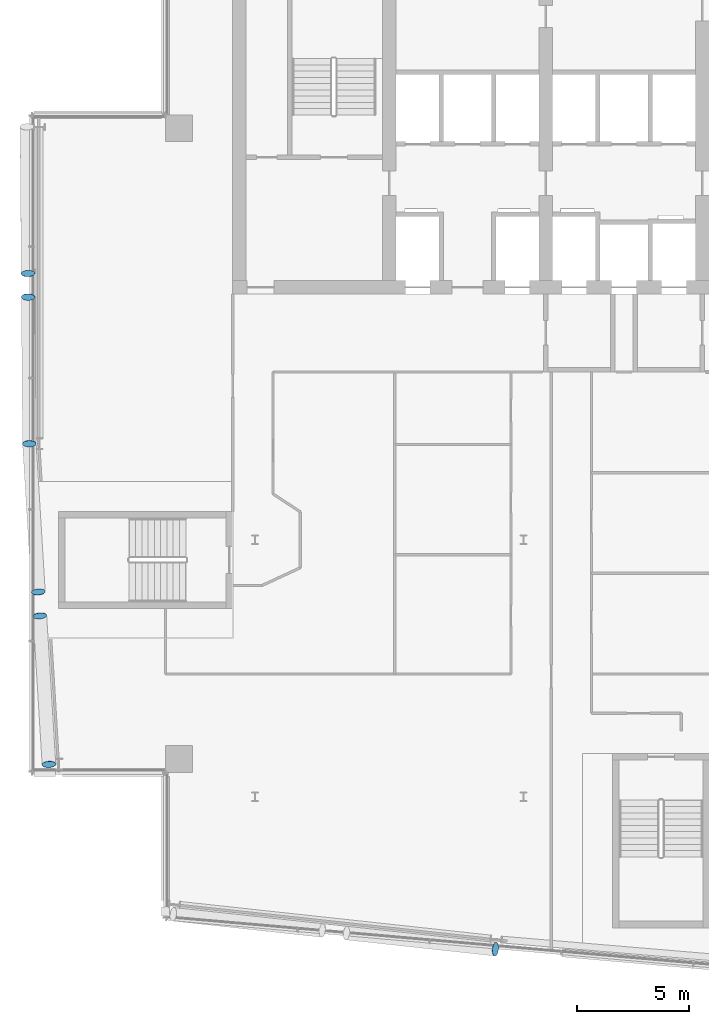
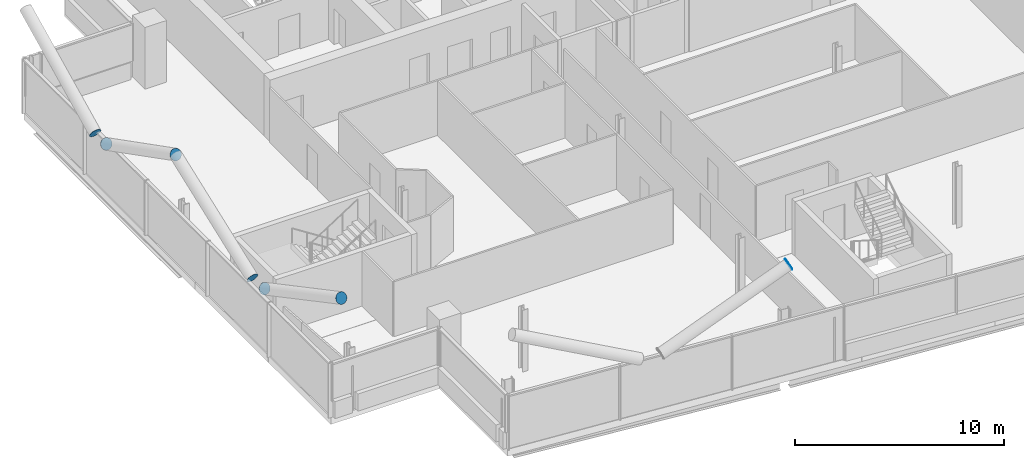
# One storey, part 21 of 27: 7 discrete accessories.
"""IFC4 building model written with IfcOpenShell, lengths in metres."""

from ifc_helpers import new_model, si_unit, direction, frame, origin, origin_2d, place, context, subcontext, project, spatial, circle, extrude, material, material_profile, profile_set, type_object, element, save


model = new_model("IFC4")

# Units and contexts
model_context = context("Model", 3, precision=1e-05, world=origin(), true_north=direction((0.0, 1.0)))
body_context = subcontext(model_context, "Body", "Model", "MODEL_VIEW")
ifc_project = project(units=[si_unit("LENGTHUNIT", "METRE"), si_unit("AREAUNIT", "SQUARE_METRE"), si_unit("VOLUMEUNIT", "CUBIC_METRE"), si_unit("PLANEANGLEUNIT", "RADIAN"), si_unit("MASSUNIT", "GRAM", prefix="KILO")], contexts=[model_context])

# Site, building, storey
site_placement = place(None, origin())
site = spatial("IfcSite", under=ifc_project, at=site_placement, CompositionType="ELEMENT")
building_placement = place(site_placement, origin())
building = spatial("IfcBuilding", under=site, at=building_placement, Name="Wharfspan Tower", CompositionType="ELEMENT")
storey_placement = place(building_placement, frame((0.0, 0.0, 221.5)))
storey = spatial("IfcBuildingStorey", under=building, at=storey_placement, Name="L55", CompositionType="ELEMENT", Elevation=221.5)

# Discrete accessories
ifc_material = material(Name="Steel S460NH", Category="steel")
ifc_material_profile = material_profile(ifc_material, circle(Radius=0.304932, at=origin_2d()))
ifc_profile_set = profile_set([ifc_material_profile], Name="Steel S460NH")
discrete_accessory_type = type_object("IfcDiscreteAccessoryType", Name="End plate CHS 610x25", PredefinedType="BRACKET", material=ifc_profile_set)
for number, where, z_axis, x_axis, name in (
    (1, (34.741699, 4.689941, 6.5), (0.895016, -0.096758, 0.435413), (0.107482, 0.994209, -1e-06), "End plate CHS 610x25"),
    (2, (13.853271, 33.85791, 3.165283), (0.0, -0.884385, 0.466759), (1.0, 0.0, 0.0), "End plate CHS 610x25"),
):
    element("IfcDiscreteAccessory", number, at=place(storey_placement, frame(where, z_axis=z_axis, x_axis=x_axis)), inside=storey, type_object=discrete_accessory_type, Name=name, PredefinedType="BRACKET", context=body_context, shape_type="SweptSolid", body=[
        extrude(circle(Radius=0.304932, at=origin_2d()), origin(), (0.0, 0.0, 1.0), 0.01001),
    ])
for number, where, z_axis, x_axis, name in (
    (3, (13.905029, 27.300049, 6.5), (0.0, -0.889567, 0.456805), (1.0, 0.0, 0.0), "End plate CHS 610x25"),
    (4, (13.844971, 34.901611, 3.165283), (-0.024035, 0.88931, 0.456673), (-0.999631, -0.027015, -3e-06), "End plate CHS 610x25"),
):
    element("IfcDiscreteAccessory", number, at=place(storey_placement, frame(where, z_axis=z_axis, x_axis=x_axis)), inside=storey, type_object=discrete_accessory_type, Name=name, PredefinedType="BRACKET", context=body_context, shape_type="SweptSolid", body=[
        extrude(circle(Radius=0.304932, at=origin_2d()), origin(), (0.0, 0.0, 1.0), 0.010254),
    ])
discrete_accessory_1_placement = place(storey_placement, frame((14.376221, 19.601807, 3.16626), z_axis=(0.072718, -0.896854, 0.436308), x_axis=(0.996729, 0.080815, -2e-06)))
element("IfcDiscreteAccessory", 5, at=discrete_accessory_1_placement, inside=storey, type_object=discrete_accessory_type, Name="End plate CHS 610x25", PredefinedType="BRACKET", context=body_context, shape_type="SweptSolid", body=[
    extrude(circle(Radius=0.304932, at=origin_2d()), origin(), (0.0, 0.0, 1.0), 0.01001),
])
discrete_accessory_2_placement = place(storey_placement, frame((14.782715, 12.963379, 6.5), z_axis=(0.049629, -0.893325, 0.446663), x_axis=(0.998463, 0.05547, 0.0)))
element("IfcDiscreteAccessory", 6, at=discrete_accessory_2_placement, inside=storey, type_object=discrete_accessory_type, Name="End plate CHS 610x25", PredefinedType="BRACKET", context=body_context, shape_type="SweptSolid", body=[
    extrude(circle(Radius=0.304932, at=origin_2d()), origin(), (0.0, 0.0, 1.0), 0.009766),
])
discrete_accessory_3_placement = place(storey_placement, frame((14.311523, 20.661621, 3.16626), z_axis=(-0.072718, 0.896854, 0.436308), x_axis=(-0.996729, -0.080815, -2e-06)))
element("IfcDiscreteAccessory", 7, at=discrete_accessory_3_placement, inside=storey, type_object=discrete_accessory_type, Name="End plate CHS 610x25", PredefinedType="BRACKET", context=body_context, shape_type="SweptSolid", body=[
    extrude(circle(Radius=0.304932, at=origin_2d()), origin(), (0.0, 0.0, 1.0), 0.01001),
])

save(model, "model.ifc")
